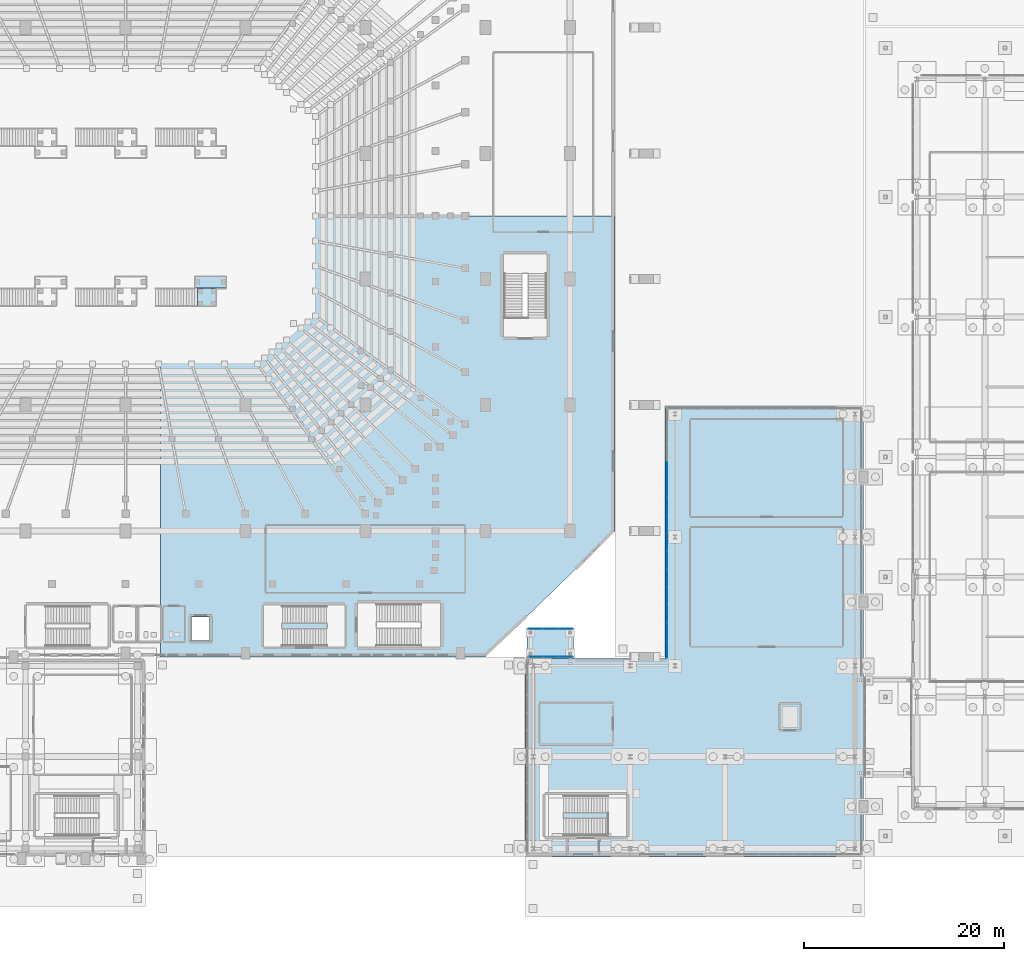
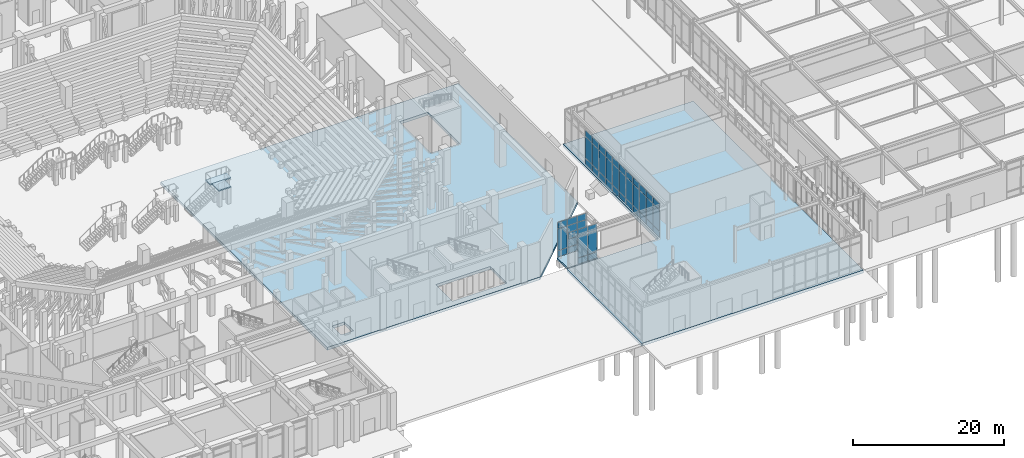
# One storey, part 81 of 143: 49 plates, 5 slabs, 4 elements without a shape of their own.
"""IFC4 building model written with IfcOpenShell, lengths in metres."""

from ifc_helpers import new_model, si_unit, derived_unit, direction, frame, origin, origin_2d, place, context, subcontext, project, spatial, polyline, rectangle, outline, extrude, material, layer, layer_set, type_object, element, aggregate, save


model = new_model("IFC4")

# Units and contexts
model_context = context("Model", 3, precision=1e-05, world=origin(), true_north=direction((0.0, 1.0)))
body_context = subcontext(model_context, "Body", "Model", "MODEL_VIEW")
ifc_project = project(units=[si_unit("LENGTHUNIT", "METRE"), si_unit("AREAUNIT", "SQUARE_METRE"), si_unit("VOLUMEUNIT", "CUBIC_METRE"), si_unit("PLANEANGLEUNIT", "RADIAN"), si_unit("MASSUNIT", "GRAM", prefix="KILO"), derived_unit("THERMALTRANSMITTANCEUNIT", [(si_unit("MASSUNIT", "GRAM", prefix="KILO"), 1), (si_unit("TIMEUNIT", "SECOND"), -3), (si_unit("THERMODYNAMICTEMPERATUREUNIT", "KELVIN"), -1)])], contexts=[model_context])

# Site, building, storey
site_placement = place(None, origin())
site = spatial("IfcSite", under=ifc_project, at=site_placement, CompositionType="ELEMENT")
building_placement = place(site_placement, origin())
building = spatial("IfcBuilding", under=site, at=building_placement, Name="Valcora Ridge Arena", CompositionType="ELEMENT")
storey_placement = place(building_placement, origin())
storey = spatial("IfcBuildingStorey", under=building, at=storey_placement, Name="L00", CompositionType="ELEMENT", Elevation=0.0)

# Stair, slab
ifc_material_1 = material(Name="Concrete C40/50", Category="concrete")
stair_type = type_object("IfcStairType", Name="TY-STAIR-VS-LOW-280", PredefinedType="STRAIGHT_RUN_STAIR", material=ifc_material_1)
stair_placement = place(storey_placement, origin())
stair = element("IfcStair", 1, at=stair_placement, inside=storey, type_object=stair_type, Name="Vomitory Stair VS-ST3 (VS-LOW-280)", PredefinedType="STRAIGHT_RUN_STAIR")
ifc_layer_1 = layer(ifc_material_1, 0.199951171875, Name="Concrete C40/50")
ifc_layer_set_1 = layer_set([ifc_layer_1], Name="Concrete C40/50")
slab_type_1 = type_object("IfcSlabType", Name="TY-LAND-VS-LOW", PredefinedType="LANDING", material=ifc_layer_set_1)
slab_1_placement = place(storey_placement, frame((0.0, 0.0, 2.60009765625)))
slab_1 = element("IfcSlab", 2, at=slab_1_placement, type_object=slab_type_1, Name="VS-LOW-280 landing 1", PredefinedType="LANDING", context=body_context, shape_type="SweptSolid", body=[
    extrude(outline(polyline([(65.179931640625, 55.10009765625), (67.10009765625, 55.10009765625), (67.10009765625, 56.89990234375), (65.179931640625, 56.89990234375), (65.179931640625, 55.10009765625)])), origin(), (0.0, 0.0, 1.0), 0.199951171875),
])
aggregate(stair, [slab_1])

# Curtain wall, plate
ifc_material_2 = material(Name="Anodised dark bronze architectural aluminium 6063-T6", Category="aluminium")
ifc_layer_2 = layer(ifc_material_2, 0.14990234375, Name="Anodised dark bronze architectural aluminium 6063-T6")
ifc_layer_set_2 = layer_set([ifc_layer_2], Name="Anodised dark bronze architectural aluminium 6063-T6")
curtain_wall_type_1 = type_object("IfcCurtainWallType", Name="TY-CURTAINWALL-CW-BRG-045X57", PredefinedType="NOTDEFINED", material=ifc_layer_set_2)
curtain_wall_1_placement = place(storey_placement, origin())
curtain_wall_1 = element("IfcCurtainWall", 3, at=curtain_wall_1_placement, inside=storey, type_object=curtain_wall_type_1, Name="CW-BRG-045X57 CW-0346", PredefinedType="NOTDEFINED")
ifc_material_3 = material(Name="Low-iron solar-control double glazing SHGC 0.28", Category="glass")
ifc_layer_3 = layer(ifc_material_3, 0.028076171875, Name="Low-iron solar-control double glazing SHGC 0.28")
ifc_layer_set_3 = layer_set([ifc_layer_3], Name="Low-iron solar-control double glazing SHGC 0.28")
plate_type_1 = type_object("IfcPlateType", Name="TY-PLT-CWP-1422X0975", PredefinedType="CURTAIN_PANEL", material=ifc_layer_set_3)
plate_1_placement = place(storey_placement, frame((102.009033203125, 20.0, 0.050048828125), z_axis=(0.0, 0.0, 1.0), x_axis=(1.0, 0.0, 0.0)))
plate_1 = element("IfcPlate", 4, at=plate_1_placement, type_object=plate_type_1, Name="CW-0346/P02-00", PredefinedType="CURTAIN_PANEL", context=body_context, shape_type="SweptSolid", body=[
    extrude(rectangle(XDim=1.422119140625, YDim=0.028076171875, at=origin_2d()), origin(), (0.0, 0.0, 1.0), 0.97509765625),
])

# Curtain wall, plates
curtain_wall_2_placement = place(storey_placement, origin())
curtain_wall_2 = element("IfcCurtainWall", 5, at=curtain_wall_2_placement, inside=storey, type_object=curtain_wall_type_1, Name="CW-BRG-045X57 CW-0347", PredefinedType="NOTDEFINED")
plate_2_placement = place(storey_placement, frame((99.041015625, 22.800048828125, 0.050048828125), z_axis=(0.0, 0.0, 1.0), x_axis=(1.0, 0.0, 0.0)))
plate_2 = element("IfcPlate", 6, at=plate_2_placement, type_object=plate_type_1, Name="CW-0347/P00-00", PredefinedType="CURTAIN_PANEL", context=body_context, shape_type="SweptSolid", body=[
    extrude(rectangle(XDim=1.422119140625, YDim=0.028076171875, at=origin_2d()), origin(), (0.0, 0.0, 1.0), 0.97509765625),
])
plate_3_placement = place(storey_placement, frame((102.009033203125, 22.800048828125, 0.050048828125), z_axis=(0.0, 0.0, 1.0), x_axis=(1.0, 0.0, 0.0)))
plate_3 = element("IfcPlate", 7, at=plate_3_placement, type_object=plate_type_1, Name="CW-0347/P02-00", PredefinedType="CURTAIN_PANEL", context=body_context, shape_type="SweptSolid", body=[
    extrude(rectangle(XDim=1.422119140625, YDim=0.028076171875, at=origin_2d()), origin(), (0.0, 0.0, 1.0), 0.97509765625),
])

# Plate
ifc_layer_4 = layer(ifc_material_3, 0.028076171875, Name="Low-iron solar-control double glazing SHGC 0.28")
ifc_layer_set_4 = layer_set([ifc_layer_4], Name="Low-iron solar-control double glazing SHGC 0.28")
plate_type_2 = type_object("IfcPlateType", Name="TY-PLT-CWP-1422X1025", PredefinedType="CURTAIN_PANEL", material=ifc_layer_set_4)
plate_4_placement = place(storey_placement, frame((99.041015625, 20.0, 4.60498046875), z_axis=(0.0, 0.0, 1.0), x_axis=(1.0, 0.0, 0.0)))
plate_4 = element("IfcPlate", 8, at=plate_4_placement, type_object=plate_type_2, Name="CW-0346/P00-02", PredefinedType="CURTAIN_PANEL", context=body_context, shape_type="SweptSolid", body=[
    extrude(rectangle(XDim=1.422119140625, YDim=0.028076171875, at=origin_2d()), origin(), (0.0, 0.0, 1.0), 1.02490234375),
])

plate_5_placement = place(storey_placement, frame((102.009033203125, 20.0, 4.60498046875), z_axis=(0.0, 0.0, 1.0), x_axis=(1.0, 0.0, 0.0)))
plate_5 = element("IfcPlate", 9, at=plate_5_placement, type_object=plate_type_2, Name="CW-0346/P02-02", PredefinedType="CURTAIN_PANEL", context=body_context, shape_type="SweptSolid", body=[
    extrude(rectangle(XDim=1.422119140625, YDim=0.028076171875, at=origin_2d()), origin(), (0.0, 0.0, 1.0), 1.02490234375),
])

plate_6_placement = place(storey_placement, frame((99.041015625, 22.800048828125, 4.60498046875), z_axis=(0.0, 0.0, 1.0), x_axis=(1.0, 0.0, 0.0)))
plate_6 = element("IfcPlate", 10, at=plate_6_placement, type_object=plate_type_2, Name="CW-0347/P00-02", PredefinedType="CURTAIN_PANEL", context=body_context, shape_type="SweptSolid", body=[
    extrude(rectangle(XDim=1.422119140625, YDim=0.028076171875, at=origin_2d()), origin(), (0.0, 0.0, 1.0), 1.02490234375),
])

plate_7_placement = place(storey_placement, frame((102.009033203125, 22.800048828125, 4.60498046875), z_axis=(0.0, 0.0, 1.0), x_axis=(1.0, 0.0, 0.0)))
plate_7 = element("IfcPlate", 11, at=plate_7_placement, type_object=plate_type_2, Name="CW-0347/P02-02", PredefinedType="CURTAIN_PANEL", context=body_context, shape_type="SweptSolid", body=[
    extrude(rectangle(XDim=1.422119140625, YDim=0.028076171875, at=origin_2d()), origin(), (0.0, 0.0, 1.0), 1.02490234375),
])

ifc_layer_5 = layer(ifc_material_3, 0.028076171875, Name="Low-iron solar-control double glazing SHGC 0.28")
ifc_layer_set_5 = layer_set([ifc_layer_5], Name="Low-iron solar-control double glazing SHGC 0.28")
plate_type_3 = type_object("IfcPlateType", Name="TY-PLT-CWP-1422X3480", PredefinedType="CURTAIN_PANEL", material=ifc_layer_set_5)
plate_8_placement = place(storey_placement, frame((102.009033203125, 20.0, 1.074951171875), z_axis=(0.0, 0.0, 1.0), x_axis=(1.0, 0.0, 0.0)))
plate_8 = element("IfcPlate", 12, at=plate_8_placement, type_object=plate_type_3, Name="CW-0346/P02-01", PredefinedType="CURTAIN_PANEL", context=body_context, shape_type="SweptSolid", body=[
    extrude(rectangle(XDim=1.422119140625, YDim=0.028076171875, at=origin_2d()), origin(), (0.0, 0.0, 1.0), 3.47998046875),
])

plate_9_placement = place(storey_placement, frame((99.041015625, 22.800048828125, 1.074951171875), z_axis=(0.0, 0.0, 1.0), x_axis=(1.0, 0.0, 0.0)))
plate_9 = element("IfcPlate", 13, at=plate_9_placement, type_object=plate_type_3, Name="CW-0347/P00-01", PredefinedType="CURTAIN_PANEL", context=body_context, shape_type="SweptSolid", body=[
    extrude(rectangle(XDim=1.422119140625, YDim=0.028076171875, at=origin_2d()), origin(), (0.0, 0.0, 1.0), 3.47998046875),
])

plate_10_placement = place(storey_placement, frame((102.009033203125, 22.800048828125, 1.074951171875), z_axis=(0.0, 0.0, 1.0), x_axis=(1.0, 0.0, 0.0)))
plate_10 = element("IfcPlate", 14, at=plate_10_placement, type_object=plate_type_3, Name="CW-0347/P02-01", PredefinedType="CURTAIN_PANEL", context=body_context, shape_type="SweptSolid", body=[
    extrude(rectangle(XDim=1.422119140625, YDim=0.028076171875, at=origin_2d()), origin(), (0.0, 0.0, 1.0), 3.47998046875),
])

ifc_layer_6 = layer(ifc_material_3, 0.028076171875, Name="Low-iron solar-control double glazing SHGC 0.28")
ifc_layer_set_6 = layer_set([ifc_layer_6], Name="Low-iron solar-control double glazing SHGC 0.28")
plate_type_4 = type_object("IfcPlateType", Name="TY-PLT-CWP-1446X0975", PredefinedType="CURTAIN_PANEL", material=ifc_layer_set_6)
plate_11_placement = place(storey_placement, frame((100.52490234375, 20.0, 0.050048828125), z_axis=(0.0, 0.0, 1.0), x_axis=(1.0, 0.0, 0.0)))
plate_11 = element("IfcPlate", 15, at=plate_11_placement, type_object=plate_type_4, Name="CW-0346/P01-00", PredefinedType="CURTAIN_PANEL", context=body_context, shape_type="SweptSolid", body=[
    extrude(rectangle(XDim=1.446044921875, YDim=0.028076171875, at=origin_2d()), origin(), (0.0, 0.0, 1.0), 0.97509765625),
])

plate_12_placement = place(storey_placement, frame((100.52490234375, 22.800048828125, 0.050048828125), z_axis=(0.0, 0.0, 1.0), x_axis=(1.0, 0.0, 0.0)))
plate_12 = element("IfcPlate", 16, at=plate_12_placement, type_object=plate_type_4, Name="CW-0347/P01-00", PredefinedType="CURTAIN_PANEL", context=body_context, shape_type="SweptSolid", body=[
    extrude(rectangle(XDim=1.446044921875, YDim=0.028076171875, at=origin_2d()), origin(), (0.0, 0.0, 1.0), 0.97509765625),
])

ifc_layer_7 = layer(ifc_material_3, 0.028076171875, Name="Low-iron solar-control double glazing SHGC 0.28")
ifc_layer_set_7 = layer_set([ifc_layer_7], Name="Low-iron solar-control double glazing SHGC 0.28")
plate_type_5 = type_object("IfcPlateType", Name="TY-PLT-CWP-1446X1025", PredefinedType="CURTAIN_PANEL", material=ifc_layer_set_7)
plate_13_placement = place(storey_placement, frame((100.52490234375, 20.0, 4.60498046875), z_axis=(0.0, 0.0, 1.0), x_axis=(1.0, 0.0, 0.0)))
plate_13 = element("IfcPlate", 17, at=plate_13_placement, type_object=plate_type_5, Name="CW-0346/P01-02", PredefinedType="CURTAIN_PANEL", context=body_context, shape_type="SweptSolid", body=[
    extrude(rectangle(XDim=1.446044921875, YDim=0.028076171875, at=origin_2d()), origin(), (0.0, 0.0, 1.0), 1.02490234375),
])

plate_14_placement = place(storey_placement, frame((100.52490234375, 22.800048828125, 4.60498046875), z_axis=(0.0, 0.0, 1.0), x_axis=(1.0, 0.0, 0.0)))
plate_14 = element("IfcPlate", 18, at=plate_14_placement, type_object=plate_type_5, Name="CW-0347/P01-02", PredefinedType="CURTAIN_PANEL", context=body_context, shape_type="SweptSolid", body=[
    extrude(rectangle(XDim=1.446044921875, YDim=0.028076171875, at=origin_2d()), origin(), (0.0, 0.0, 1.0), 1.02490234375),
])

ifc_layer_8 = layer(ifc_material_3, 0.028076171875, Name="Low-iron solar-control double glazing SHGC 0.28")
ifc_layer_set_8 = layer_set([ifc_layer_8], Name="Low-iron solar-control double glazing SHGC 0.28")
plate_type_6 = type_object("IfcPlateType", Name="TY-PLT-CWP-1446X3480", PredefinedType="CURTAIN_PANEL", material=ifc_layer_set_8)
plate_15_placement = place(storey_placement, frame((100.52490234375, 20.0, 1.074951171875), z_axis=(0.0, 0.0, 1.0), x_axis=(1.0, 0.0, 0.0)))
plate_15 = element("IfcPlate", 19, at=plate_15_placement, type_object=plate_type_6, Name="CW-0346/P01-01", PredefinedType="CURTAIN_PANEL", context=body_context, shape_type="SweptSolid", body=[
    extrude(rectangle(XDim=1.446044921875, YDim=0.028076171875, at=origin_2d()), origin(), (0.0, 0.0, 1.0), 3.47998046875),
])

aggregate(curtain_wall_1, [plate_4, plate_11, plate_15, plate_13, plate_1, plate_8, plate_5])

plate_16_placement = place(storey_placement, frame((100.52490234375, 22.800048828125, 1.074951171875), z_axis=(0.0, 0.0, 1.0), x_axis=(1.0, 0.0, 0.0)))
plate_16 = element("IfcPlate", 20, at=plate_16_placement, type_object=plate_type_6, Name="CW-0347/P01-01", PredefinedType="CURTAIN_PANEL", context=body_context, shape_type="SweptSolid", body=[
    extrude(rectangle(XDim=1.446044921875, YDim=0.028076171875, at=origin_2d()), origin(), (0.0, 0.0, 1.0), 3.47998046875),
])

aggregate(curtain_wall_2, [plate_2, plate_9, plate_6, plate_12, plate_16, plate_14, plate_3, plate_10, plate_7])

# Curtain wall, plates
ifc_layer_9 = layer(ifc_material_2, 0.179931640625, Name="Anodised dark bronze architectural aluminium 6063-T6")
ifc_layer_set_9 = layer_set([ifc_layer_9], Name="Anodised dark bronze architectural aluminium 6063-T6")
curtain_wall_type_2 = type_object("IfcCurtainWallType", Name="TY-CURTAINWALL-CW-V3-LANCET-250X56", PredefinedType="NOTDEFINED", material=ifc_layer_set_9)
curtain_wall_3_placement = place(storey_placement, origin())
curtain_wall_3 = element("IfcCurtainWall", 21, at=curtain_wall_3_placement, inside=storey, type_object=curtain_wall_type_2, Name="CW-V3-LANCET-250X56 CW-0008", PredefinedType="NOTDEFINED")
ifc_layer_10 = layer(ifc_material_3, 0.031982421875, Name="Low-iron solar-control double glazing SHGC 0.28")
ifc_layer_set_10 = layer_set([ifc_layer_10], Name="Low-iron solar-control double glazing SHGC 0.28")
plate_type_7 = type_object("IfcPlateType", Name="TY-PLT-CWP-1696X0960", PredefinedType="CURTAIN_PANEL", material=ifc_layer_set_10)
plate_17_placement = place(storey_placement, frame((112.199951171875, 20.758056640625, 0.06005859375), z_axis=(0.0, 0.0, 1.0), x_axis=(0.0, 1.0, 0.0)))
plate_17 = element("IfcPlate", 22, at=plate_17_placement, type_object=plate_type_7, Name="CW-0008/P00-00", PredefinedType="CURTAIN_PANEL", context=body_context, shape_type="SweptSolid", body=[
    extrude(rectangle(XDim=1.696044921875, YDim=0.031982421875, at=origin_2d()), origin(), (0.0, 0.0, 1.0), 0.9599609375),
])
ifc_layer_11 = layer(ifc_material_3, 0.031982421875, Name="Low-iron solar-control double glazing SHGC 0.28")
ifc_layer_set_11 = layer_set([ifc_layer_11], Name="Low-iron solar-control double glazing SHGC 0.28")
plate_type_8 = type_object("IfcPlateType", Name="TY-PLT-CWP-1696X1010", PredefinedType="CURTAIN_PANEL", material=ifc_layer_set_11)
plate_18_placement = place(storey_placement, frame((112.199951171875, 20.758056640625, 4.56982421875), z_axis=(0.0, 0.0, 1.0), x_axis=(0.0, 1.0, 0.0)))
plate_18 = element("IfcPlate", 23, at=plate_18_placement, type_object=plate_type_8, Name="CW-0008/P00-02", PredefinedType="CURTAIN_PANEL", context=body_context, shape_type="SweptSolid", body=[
    extrude(rectangle(XDim=1.696044921875, YDim=0.031982421875, at=origin_2d()), origin(), (0.0, 0.0, 1.0), 1.010009765625),
])
ifc_layer_12 = layer(ifc_material_3, 0.031982421875, Name="Low-iron solar-control double glazing SHGC 0.28")
ifc_layer_set_12 = layer_set([ifc_layer_12], Name="Low-iron solar-control double glazing SHGC 0.28")
plate_type_9 = type_object("IfcPlateType", Name="TY-PLT-CWP-1696X3430", PredefinedType="CURTAIN_PANEL", material=ifc_layer_set_12)
plate_19_placement = place(storey_placement, frame((112.199951171875, 20.758056640625, 1.080078125), z_axis=(0.0, 0.0, 1.0), x_axis=(0.0, 1.0, 0.0)))
plate_19 = element("IfcPlate", 24, at=plate_19_placement, type_object=plate_type_9, Name="CW-0008/P00-01", PredefinedType="CURTAIN_PANEL", context=body_context, shape_type="SweptSolid", body=[
    extrude(rectangle(XDim=1.696044921875, YDim=0.031982421875, at=origin_2d()), origin(), (0.0, 0.0, 1.0), 3.429931640625),
])
ifc_layer_13 = layer(ifc_material_3, 0.031982421875, Name="Low-iron solar-control double glazing SHGC 0.28")
ifc_layer_set_13 = layer_set([ifc_layer_13], Name="Low-iron solar-control double glazing SHGC 0.28")
plate_type_10 = type_object("IfcPlateType", Name="TY-PLT-CWP-1725X0960", PredefinedType="CURTAIN_PANEL", material=ifc_layer_set_13)
plate_20_placement = place(storey_placement, frame((112.199951171875, 22.528564453125, 0.06005859375), z_axis=(0.0, 0.0, 1.0), x_axis=(0.0, 1.0, 0.0)))
plate_20 = element("IfcPlate", 25, at=plate_20_placement, type_object=plate_type_10, Name="CW-0008/P01-00", PredefinedType="CURTAIN_PANEL", context=body_context, shape_type="SweptSolid", body=[
    extrude(rectangle(XDim=1.72509765625, YDim=0.031982421875, at=origin_2d()), origin(), (0.0, 0.0, 1.0), 0.9599609375),
])
plate_21_placement = place(storey_placement, frame((112.199951171875, 29.67138671875, 0.06005859375), z_axis=(0.0, 0.0, 1.0), x_axis=(0.0, 1.0, 0.0)))
plate_21 = element("IfcPlate", 26, at=plate_21_placement, type_object=plate_type_10, Name="CW-0008/P05-00", PredefinedType="CURTAIN_PANEL", context=body_context, shape_type="SweptSolid", body=[
    extrude(rectangle(XDim=1.72509765625, YDim=0.031982421875, at=origin_2d()), origin(), (0.0, 0.0, 1.0), 0.9599609375),
])
plate_22_placement = place(storey_placement, frame((112.199951171875, 35.028564453125, 0.06005859375), z_axis=(0.0, 0.0, 1.0), x_axis=(0.0, 1.0, 0.0)))
plate_22 = element("IfcPlate", 27, at=plate_22_placement, type_object=plate_type_10, Name="CW-0008/P08-00", PredefinedType="CURTAIN_PANEL", context=body_context, shape_type="SweptSolid", body=[
    extrude(rectangle(XDim=1.72509765625, YDim=0.031982421875, at=origin_2d()), origin(), (0.0, 0.0, 1.0), 0.9599609375),
])
ifc_layer_14 = layer(ifc_material_3, 0.031982421875, Name="Low-iron solar-control double glazing SHGC 0.28")
ifc_layer_set_14 = layer_set([ifc_layer_14], Name="Low-iron solar-control double glazing SHGC 0.28")
plate_type_11 = type_object("IfcPlateType", Name="TY-PLT-CWP-1725X1010", PredefinedType="CURTAIN_PANEL", material=ifc_layer_set_14)
plate_23_placement = place(storey_placement, frame((112.199951171875, 22.528564453125, 4.56982421875), z_axis=(0.0, 0.0, 1.0), x_axis=(0.0, 1.0, 0.0)))
plate_23 = element("IfcPlate", 28, at=plate_23_placement, type_object=plate_type_11, Name="CW-0008/P01-02", PredefinedType="CURTAIN_PANEL", context=body_context, shape_type="SweptSolid", body=[
    extrude(rectangle(XDim=1.72509765625, YDim=0.031982421875, at=origin_2d()), origin(), (0.0, 0.0, 1.0), 1.010009765625),
])
plate_24_placement = place(storey_placement, frame((112.199951171875, 29.67138671875, 4.56982421875), z_axis=(0.0, 0.0, 1.0), x_axis=(0.0, 1.0, 0.0)))
plate_24 = element("IfcPlate", 29, at=plate_24_placement, type_object=plate_type_11, Name="CW-0008/P05-02", PredefinedType="CURTAIN_PANEL", context=body_context, shape_type="SweptSolid", body=[
    extrude(rectangle(XDim=1.72509765625, YDim=0.031982421875, at=origin_2d()), origin(), (0.0, 0.0, 1.0), 1.010009765625),
])
plate_25_placement = place(storey_placement, frame((112.199951171875, 35.028564453125, 4.56982421875), z_axis=(0.0, 0.0, 1.0), x_axis=(0.0, 1.0, 0.0)))
plate_25 = element("IfcPlate", 30, at=plate_25_placement, type_object=plate_type_11, Name="CW-0008/P08-02", PredefinedType="CURTAIN_PANEL", context=body_context, shape_type="SweptSolid", body=[
    extrude(rectangle(XDim=1.72509765625, YDim=0.031982421875, at=origin_2d()), origin(), (0.0, 0.0, 1.0), 1.010009765625),
])
ifc_layer_15 = layer(ifc_material_3, 0.031982421875, Name="Low-iron solar-control double glazing SHGC 0.28")
ifc_layer_set_15 = layer_set([ifc_layer_15], Name="Low-iron solar-control double glazing SHGC 0.28")
plate_type_12 = type_object("IfcPlateType", Name="TY-PLT-CWP-1725X3430", PredefinedType="CURTAIN_PANEL", material=ifc_layer_set_15)
plate_26_placement = place(storey_placement, frame((112.199951171875, 22.528564453125, 1.080078125), z_axis=(0.0, 0.0, 1.0), x_axis=(0.0, 1.0, 0.0)))
plate_26 = element("IfcPlate", 31, at=plate_26_placement, type_object=plate_type_12, Name="CW-0008/P01-01", PredefinedType="CURTAIN_PANEL", context=body_context, shape_type="SweptSolid", body=[
    extrude(rectangle(XDim=1.72509765625, YDim=0.031982421875, at=origin_2d()), origin(), (0.0, 0.0, 1.0), 3.429931640625),
])
plate_27_placement = place(storey_placement, frame((112.199951171875, 29.67138671875, 1.080078125), z_axis=(0.0, 0.0, 1.0), x_axis=(0.0, 1.0, 0.0)))
plate_27 = element("IfcPlate", 32, at=plate_27_placement, type_object=plate_type_12, Name="CW-0008/P05-01", PredefinedType="CURTAIN_PANEL", context=body_context, shape_type="SweptSolid", body=[
    extrude(rectangle(XDim=1.72509765625, YDim=0.031982421875, at=origin_2d()), origin(), (0.0, 0.0, 1.0), 3.429931640625),
])
plate_28_placement = place(storey_placement, frame((112.199951171875, 35.028564453125, 1.080078125), z_axis=(0.0, 0.0, 1.0), x_axis=(0.0, 1.0, 0.0)))
plate_28 = element("IfcPlate", 33, at=plate_28_placement, type_object=plate_type_12, Name="CW-0008/P08-01", PredefinedType="CURTAIN_PANEL", context=body_context, shape_type="SweptSolid", body=[
    extrude(rectangle(XDim=1.72509765625, YDim=0.031982421875, at=origin_2d()), origin(), (0.0, 0.0, 1.0), 3.429931640625),
])
ifc_layer_16 = layer(ifc_material_3, 0.031982421875, Name="Low-iron solar-control double glazing SHGC 0.28")
ifc_layer_set_16 = layer_set([ifc_layer_16], Name="Low-iron solar-control double glazing SHGC 0.28")
plate_type_13 = type_object("IfcPlateType", Name="TY-PLT-CWP-1726X0960", PredefinedType="CURTAIN_PANEL", material=ifc_layer_set_16)
plate_29_placement = place(storey_placement, frame((112.199951171875, 24.31396484375, 0.06005859375), z_axis=(0.0, 0.0, 1.0), x_axis=(0.0, 1.0, 0.0)))
plate_29 = element("IfcPlate", 34, at=plate_29_placement, type_object=plate_type_13, Name="CW-0008/P02-00", PredefinedType="CURTAIN_PANEL", context=body_context, shape_type="SweptSolid", body=[
    extrude(rectangle(XDim=1.72607421875, YDim=0.031982421875, at=origin_2d()), origin(), (0.0, 0.0, 1.0), 0.9599609375),
])
plate_30_placement = place(storey_placement, frame((112.199951171875, 26.10009765625, 0.06005859375), z_axis=(0.0, 0.0, 1.0), x_axis=(0.0, 1.0, 0.0)))
plate_30 = element("IfcPlate", 35, at=plate_30_placement, type_object=plate_type_13, Name="CW-0008/P03-00", PredefinedType="CURTAIN_PANEL", context=body_context, shape_type="SweptSolid", body=[
    extrude(rectangle(XDim=1.72607421875, YDim=0.031982421875, at=origin_2d()), origin(), (0.0, 0.0, 1.0), 0.9599609375),
])
plate_31_placement = place(storey_placement, frame((112.199951171875, 27.885986328125, 0.06005859375), z_axis=(0.0, 0.0, 1.0), x_axis=(0.0, 1.0, 0.0)))
plate_31 = element("IfcPlate", 36, at=plate_31_placement, type_object=plate_type_13, Name="CW-0008/P04-00", PredefinedType="CURTAIN_PANEL", context=body_context, shape_type="SweptSolid", body=[
    extrude(rectangle(XDim=1.72607421875, YDim=0.031982421875, at=origin_2d()), origin(), (0.0, 0.0, 1.0), 0.9599609375),
])
plate_32_placement = place(storey_placement, frame((112.199951171875, 31.45703125, 0.06005859375), z_axis=(0.0, 0.0, 1.0), x_axis=(0.0, 1.0, 0.0)))
plate_32 = element("IfcPlate", 37, at=plate_32_placement, type_object=plate_type_13, Name="CW-0008/P06-00", PredefinedType="CURTAIN_PANEL", context=body_context, shape_type="SweptSolid", body=[
    extrude(rectangle(XDim=1.72607421875, YDim=0.031982421875, at=origin_2d()), origin(), (0.0, 0.0, 1.0), 0.9599609375),
])
plate_33_placement = place(storey_placement, frame((112.199951171875, 33.242919921875, 0.06005859375), z_axis=(0.0, 0.0, 1.0), x_axis=(0.0, 1.0, 0.0)))
plate_33 = element("IfcPlate", 38, at=plate_33_placement, type_object=plate_type_13, Name="CW-0008/P07-00", PredefinedType="CURTAIN_PANEL", context=body_context, shape_type="SweptSolid", body=[
    extrude(rectangle(XDim=1.72607421875, YDim=0.031982421875, at=origin_2d()), origin(), (0.0, 0.0, 1.0), 0.9599609375),
])
plate_34_placement = place(storey_placement, frame((112.199951171875, 36.81396484375, 0.06005859375), z_axis=(0.0, 0.0, 1.0), x_axis=(0.0, 1.0, 0.0)))
plate_34 = element("IfcPlate", 39, at=plate_34_placement, type_object=plate_type_13, Name="CW-0008/P09-00", PredefinedType="CURTAIN_PANEL", context=body_context, shape_type="SweptSolid", body=[
    extrude(rectangle(XDim=1.72607421875, YDim=0.031982421875, at=origin_2d()), origin(), (0.0, 0.0, 1.0), 0.9599609375),
])
plate_35_placement = place(storey_placement, frame((112.199951171875, 38.60009765625, 0.06005859375), z_axis=(0.0, 0.0, 1.0), x_axis=(0.0, 1.0, 0.0)))
plate_35 = element("IfcPlate", 40, at=plate_35_placement, type_object=plate_type_13, Name="CW-0008/P10-00", PredefinedType="CURTAIN_PANEL", context=body_context, shape_type="SweptSolid", body=[
    extrude(rectangle(XDim=1.72607421875, YDim=0.031982421875, at=origin_2d()), origin(), (0.0, 0.0, 1.0), 0.9599609375),
])
ifc_layer_17 = layer(ifc_material_3, 0.031982421875, Name="Low-iron solar-control double glazing SHGC 0.28")
ifc_layer_set_17 = layer_set([ifc_layer_17], Name="Low-iron solar-control double glazing SHGC 0.28")
plate_type_14 = type_object("IfcPlateType", Name="TY-PLT-CWP-1726X1010", PredefinedType="CURTAIN_PANEL", material=ifc_layer_set_17)
plate_36_placement = place(storey_placement, frame((112.199951171875, 24.31396484375, 4.56982421875), z_axis=(0.0, 0.0, 1.0), x_axis=(0.0, 1.0, 0.0)))
plate_36 = element("IfcPlate", 41, at=plate_36_placement, type_object=plate_type_14, Name="CW-0008/P02-02", PredefinedType="CURTAIN_PANEL", context=body_context, shape_type="SweptSolid", body=[
    extrude(rectangle(XDim=1.72607421875, YDim=0.031982421875, at=origin_2d()), origin(), (0.0, 0.0, 1.0), 1.010009765625),
])
plate_37_placement = place(storey_placement, frame((112.199951171875, 26.10009765625, 4.56982421875), z_axis=(0.0, 0.0, 1.0), x_axis=(0.0, 1.0, 0.0)))
plate_37 = element("IfcPlate", 42, at=plate_37_placement, type_object=plate_type_14, Name="CW-0008/P03-02", PredefinedType="CURTAIN_PANEL", context=body_context, shape_type="SweptSolid", body=[
    extrude(rectangle(XDim=1.72607421875, YDim=0.031982421875, at=origin_2d()), origin(), (0.0, 0.0, 1.0), 1.010009765625),
])
plate_38_placement = place(storey_placement, frame((112.199951171875, 27.885986328125, 4.56982421875), z_axis=(0.0, 0.0, 1.0), x_axis=(0.0, 1.0, 0.0)))
plate_38 = element("IfcPlate", 43, at=plate_38_placement, type_object=plate_type_14, Name="CW-0008/P04-02", PredefinedType="CURTAIN_PANEL", context=body_context, shape_type="SweptSolid", body=[
    extrude(rectangle(XDim=1.72607421875, YDim=0.031982421875, at=origin_2d()), origin(), (0.0, 0.0, 1.0), 1.010009765625),
])
plate_39_placement = place(storey_placement, frame((112.199951171875, 31.45703125, 4.56982421875), z_axis=(0.0, 0.0, 1.0), x_axis=(0.0, 1.0, 0.0)))
plate_39 = element("IfcPlate", 44, at=plate_39_placement, type_object=plate_type_14, Name="CW-0008/P06-02", PredefinedType="CURTAIN_PANEL", context=body_context, shape_type="SweptSolid", body=[
    extrude(rectangle(XDim=1.72607421875, YDim=0.031982421875, at=origin_2d()), origin(), (0.0, 0.0, 1.0), 1.010009765625),
])
plate_40_placement = place(storey_placement, frame((112.199951171875, 33.242919921875, 4.56982421875), z_axis=(0.0, 0.0, 1.0), x_axis=(0.0, 1.0, 0.0)))
plate_40 = element("IfcPlate", 45, at=plate_40_placement, type_object=plate_type_14, Name="CW-0008/P07-02", PredefinedType="CURTAIN_PANEL", context=body_context, shape_type="SweptSolid", body=[
    extrude(rectangle(XDim=1.72607421875, YDim=0.031982421875, at=origin_2d()), origin(), (0.0, 0.0, 1.0), 1.010009765625),
])
plate_41_placement = place(storey_placement, frame((112.199951171875, 36.81396484375, 4.56982421875), z_axis=(0.0, 0.0, 1.0), x_axis=(0.0, 1.0, 0.0)))
plate_41 = element("IfcPlate", 46, at=plate_41_placement, type_object=plate_type_14, Name="CW-0008/P09-02", PredefinedType="CURTAIN_PANEL", context=body_context, shape_type="SweptSolid", body=[
    extrude(rectangle(XDim=1.72607421875, YDim=0.031982421875, at=origin_2d()), origin(), (0.0, 0.0, 1.0), 1.010009765625),
])
plate_42_placement = place(storey_placement, frame((112.199951171875, 38.60009765625, 4.56982421875), z_axis=(0.0, 0.0, 1.0), x_axis=(0.0, 1.0, 0.0)))
plate_42 = element("IfcPlate", 47, at=plate_42_placement, type_object=plate_type_14, Name="CW-0008/P10-02", PredefinedType="CURTAIN_PANEL", context=body_context, shape_type="SweptSolid", body=[
    extrude(rectangle(XDim=1.72607421875, YDim=0.031982421875, at=origin_2d()), origin(), (0.0, 0.0, 1.0), 1.010009765625),
])
ifc_layer_18 = layer(ifc_material_3, 0.031982421875, Name="Low-iron solar-control double glazing SHGC 0.28")
ifc_layer_set_18 = layer_set([ifc_layer_18], Name="Low-iron solar-control double glazing SHGC 0.28")
plate_type_15 = type_object("IfcPlateType", Name="TY-PLT-CWP-1726X3430", PredefinedType="CURTAIN_PANEL", material=ifc_layer_set_18)
plate_43_placement = place(storey_placement, frame((112.199951171875, 24.31396484375, 1.080078125), z_axis=(0.0, 0.0, 1.0), x_axis=(0.0, 1.0, 0.0)))
plate_43 = element("IfcPlate", 48, at=plate_43_placement, type_object=plate_type_15, Name="CW-0008/P02-01", PredefinedType="CURTAIN_PANEL", context=body_context, shape_type="SweptSolid", body=[
    extrude(rectangle(XDim=1.72607421875, YDim=0.031982421875, at=origin_2d()), origin(), (0.0, 0.0, 1.0), 3.429931640625),
])
plate_44_placement = place(storey_placement, frame((112.199951171875, 26.10009765625, 1.080078125), z_axis=(0.0, 0.0, 1.0), x_axis=(0.0, 1.0, 0.0)))
plate_44 = element("IfcPlate", 49, at=plate_44_placement, type_object=plate_type_15, Name="CW-0008/P03-01", PredefinedType="CURTAIN_PANEL", context=body_context, shape_type="SweptSolid", body=[
    extrude(rectangle(XDim=1.72607421875, YDim=0.031982421875, at=origin_2d()), origin(), (0.0, 0.0, 1.0), 3.429931640625),
])
plate_45_placement = place(storey_placement, frame((112.199951171875, 27.885986328125, 1.080078125), z_axis=(0.0, 0.0, 1.0), x_axis=(0.0, 1.0, 0.0)))
plate_45 = element("IfcPlate", 50, at=plate_45_placement, type_object=plate_type_15, Name="CW-0008/P04-01", PredefinedType="CURTAIN_PANEL", context=body_context, shape_type="SweptSolid", body=[
    extrude(rectangle(XDim=1.72607421875, YDim=0.031982421875, at=origin_2d()), origin(), (0.0, 0.0, 1.0), 3.429931640625),
])
plate_46_placement = place(storey_placement, frame((112.199951171875, 31.45703125, 1.080078125), z_axis=(0.0, 0.0, 1.0), x_axis=(0.0, 1.0, 0.0)))
plate_46 = element("IfcPlate", 51, at=plate_46_placement, type_object=plate_type_15, Name="CW-0008/P06-01", PredefinedType="CURTAIN_PANEL", context=body_context, shape_type="SweptSolid", body=[
    extrude(rectangle(XDim=1.72607421875, YDim=0.031982421875, at=origin_2d()), origin(), (0.0, 0.0, 1.0), 3.429931640625),
])
plate_47_placement = place(storey_placement, frame((112.199951171875, 33.242919921875, 1.080078125), z_axis=(0.0, 0.0, 1.0), x_axis=(0.0, 1.0, 0.0)))
plate_47 = element("IfcPlate", 52, at=plate_47_placement, type_object=plate_type_15, Name="CW-0008/P07-01", PredefinedType="CURTAIN_PANEL", context=body_context, shape_type="SweptSolid", body=[
    extrude(rectangle(XDim=1.72607421875, YDim=0.031982421875, at=origin_2d()), origin(), (0.0, 0.0, 1.0), 3.429931640625),
])
plate_48_placement = place(storey_placement, frame((112.199951171875, 36.81396484375, 1.080078125), z_axis=(0.0, 0.0, 1.0), x_axis=(0.0, 1.0, 0.0)))
plate_48 = element("IfcPlate", 53, at=plate_48_placement, type_object=plate_type_15, Name="CW-0008/P09-01", PredefinedType="CURTAIN_PANEL", context=body_context, shape_type="SweptSolid", body=[
    extrude(rectangle(XDim=1.72607421875, YDim=0.031982421875, at=origin_2d()), origin(), (0.0, 0.0, 1.0), 3.429931640625),
])
plate_49_placement = place(storey_placement, frame((112.199951171875, 38.60009765625, 1.080078125), z_axis=(0.0, 0.0, 1.0), x_axis=(0.0, 1.0, 0.0)))
plate_49 = element("IfcPlate", 54, at=plate_49_placement, type_object=plate_type_15, Name="CW-0008/P10-01", PredefinedType="CURTAIN_PANEL", context=body_context, shape_type="SweptSolid", body=[
    extrude(rectangle(XDim=1.72607421875, YDim=0.031982421875, at=origin_2d()), origin(), (0.0, 0.0, 1.0), 3.429931640625),
])
aggregate(curtain_wall_3, [plate_17, plate_19, plate_18, plate_20, plate_26, plate_23, plate_29, plate_43, plate_36, plate_30, plate_44, plate_37, plate_31, plate_45, plate_38, plate_21, plate_27, plate_24, plate_32, plate_46, plate_39, plate_33, plate_47, plate_40, plate_22, plate_28, plate_25, plate_34, plate_48, plate_41, plate_35, plate_49, plate_42])

# Slabs
ifc_layer_19 = layer(ifc_material_1, 0.320068359375, Name="Concrete C40/50")
ifc_layer_set_19 = layer_set([ifc_layer_19], Name="Concrete C40/50")
slab_type_2 = type_object("IfcSlabType", Name="TY-SLAB-SL-BRG-SJ1-L00", PredefinedType="FLOOR", material=ifc_layer_set_19)
slab_2_placement = place(storey_placement, frame((0.0, 0.0, -0.320068359375)))
element("IfcSlab", 55, at=slab_2_placement, inside=storey, type_object=slab_type_2, Name="SL-BRG-SJ1-L00 SLB-0079", PredefinedType="FLOOR", context=body_context, shape_type="SweptSolid", body=[
    extrude(outline(polyline([(102.85009765625, 20.0), (102.85009765625, 22.800048828125), (98.199951171875, 22.800048828125), (98.199951171875, 20.0), (102.85009765625, 20.0)])), origin(), (0.0, 0.0, 1.0), 0.320068359375),
])
ifc_layer_20 = layer(ifc_material_1, 0.43994140625, Name="Concrete C40/50")
ifc_layer_set_20 = layer_set([ifc_layer_20], Name="Concrete C40/50")
slab_type_3 = type_object("IfcSlabType", Name="TY-SLAB-SL-EVT-380-SE", PredefinedType="FLOOR", material=ifc_layer_set_20)
slab_3_placement = place(storey_placement, frame((0.0, 0.0, -0.43994140625)))
element("IfcSlab", 56, at=slab_3_placement, inside=storey, type_object=slab_type_3, Name="SL-EVT-380-SE SLB-0016", PredefinedType="FLOOR", context=body_context, shape_type="SweptSolid", body=[
    extrude(outline(polyline([(107.0, 32.60009765625), (107.0, 64.10009765625), (61.5, 64.10009765625), (61.5, 20.0), (94.0, 20.0), (107.0, 32.60009765625)]), holes=[polyline([(89.52001953125, 21.0), (89.52001953125, 25.39990234375), (81.199951171875, 25.39990234375), (81.199951171875, 21.0), (89.52001953125, 21.0)]), polyline([(100.199951171875, 52.0), (100.199951171875, 60.320068359375), (95.800048828125, 60.320068359375), (95.800048828125, 52.0), (100.199951171875, 52.0)]), polyline([(64.580078125, 23.969970703125), (64.580078125, 21.6298828125), (66.419921875, 21.6298828125), (66.419921875, 23.969970703125), (64.580078125, 23.969970703125)])]), origin(), (0.0, 0.0, 1.0), 0.43994140625),
])
ifc_layer_21 = layer(ifc_material_1, 0.449951171875, Name="Concrete C40/50")
ifc_layer_set_21 = layer_set([ifc_layer_21], Name="Concrete C40/50")
slab_type_4 = type_object("IfcSlabType", Name="TY-SLAB-SL-SOG-V3", PredefinedType="BASESLAB", material=ifc_layer_set_21)
slab_4_placement = place(storey_placement, frame((0.0, 0.0, -0.449951171875)))
element("IfcSlab", 57, at=slab_4_placement, inside=storey, type_object=slab_type_4, Name="SL-SOG-V3 SLB-0022", PredefinedType="BASESLAB", context=body_context, shape_type="SweptSolid", body=[
    extrude(outline(polyline([(98.0, 0.0), (131.85009765625, 0.0), (131.85009765625, 45.050048828125), (112.0, 45.050048828125), (112.0, 19.85009765625), (98.0, 19.85009765625), (98.0, 0.0)])), origin(), (0.0, 0.0, 1.0), 0.449951171875),
])
ifc_material_4 = material(Name="Precast concrete C45/55", Category="concrete")
ifc_layer_22 = layer(ifc_material_4, 0.199951171875, Name="Precast concrete C45/55")
ifc_layer_set_22 = layer_set([ifc_layer_22], Name="Precast concrete C45/55")
slab_type_5 = type_object("IfcSlabType", Name="TY-SLAB-ST-LOW-VOM", PredefinedType="USERDEFINED", material=ifc_layer_set_22)
slab_5_placement = place(storey_placement, frame((0.0, 0.0, 2.60009765625)))
element("IfcSlab", 58, at=slab_5_placement, inside=storey, type_object=slab_type_5, Name="ST-LOW-VOM SLB-TR-0595", ObjectType="SEATING TIER", PredefinedType="USERDEFINED", context=body_context, shape_type="SweptSolid", body=[
    extrude(outline(polyline([(64.89990234375, 56.89990234375), (68.10009765625, 56.89990234375), (68.10009765625, 58.10009765625), (64.89990234375, 58.10009765625), (64.89990234375, 56.89990234375)])), origin(), (0.0, 0.0, 1.0), 0.199951171875),
])

save(model, "model.ifc")
